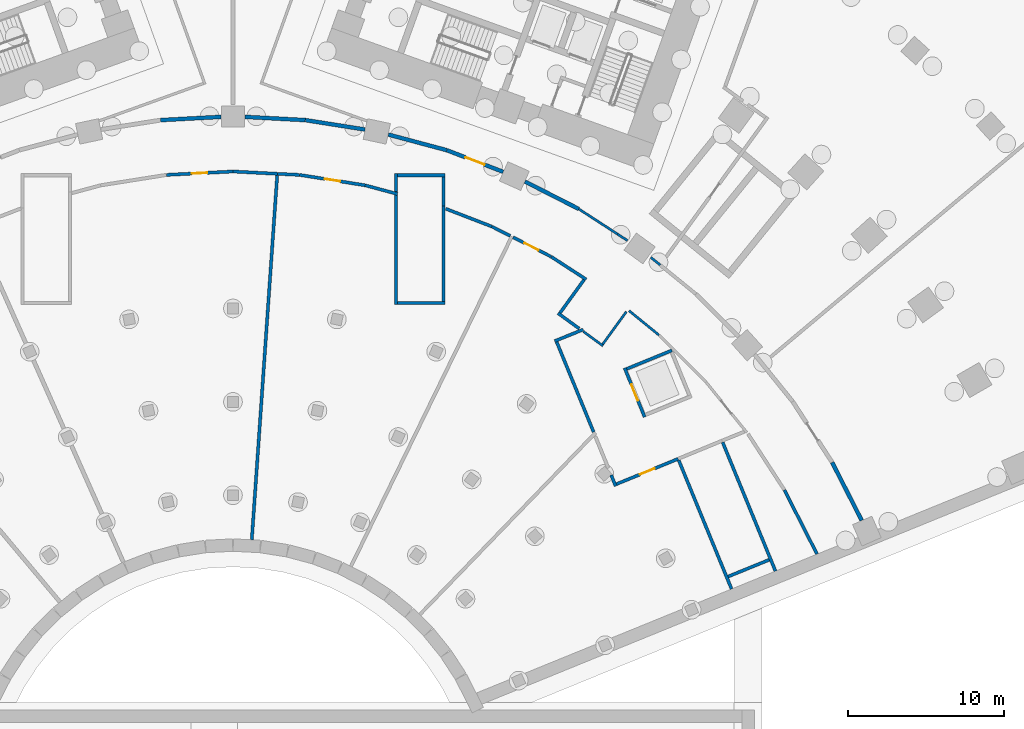
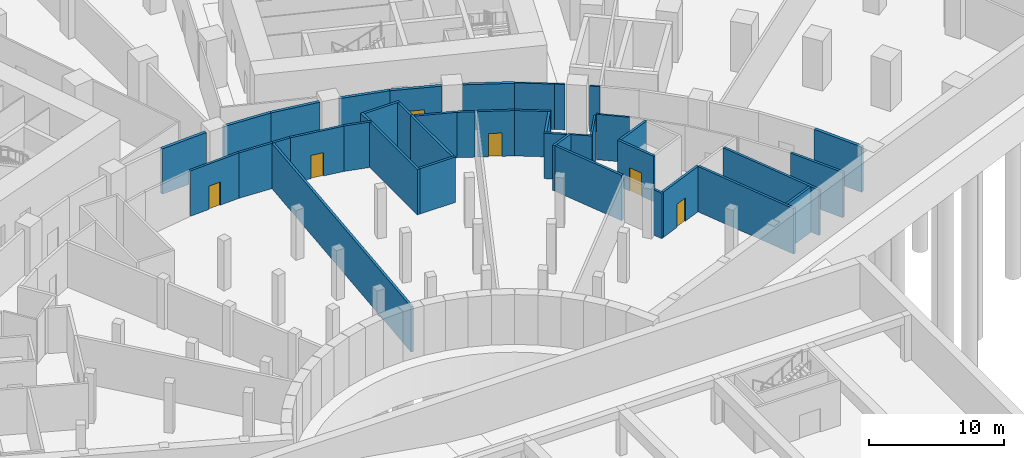
# One storey, part 12 of 25: 41 walls, 6 doors, 6 openings.
"""IFC4 building model written with IfcOpenShell, lengths in metres."""

from ifc_helpers import new_model, si_unit, direction, frame, frame_2d, origin, place, context, subcontext, project, spatial, rectangle, extrude, material, layer, layer_set, type_object, element, fill, save


model = new_model("IFC4")

# Units and contexts
model_context = context("Model", 3, precision=1e-05, world=origin(), true_north=direction((0.0, 1.0)))
body_context = subcontext(model_context, "Body", "Model", "MODEL_VIEW")
ifc_project = project(units=[si_unit("LENGTHUNIT", "METRE"), si_unit("AREAUNIT", "SQUARE_METRE"), si_unit("VOLUMEUNIT", "CUBIC_METRE"), si_unit("PLANEANGLEUNIT", "RADIAN"), si_unit("MASSUNIT", "GRAM", prefix="KILO")], contexts=[model_context])

# Site, building, storey
site_placement = place(None, origin())
site = spatial("IfcSite", under=ifc_project, at=site_placement, CompositionType="ELEMENT")
building_placement = place(site_placement, origin())
building = spatial("IfcBuilding", under=site, at=building_placement, Name="Stone Belt Terrace Tower", CompositionType="ELEMENT")
storey_placement = place(building_placement, frame((0.0, 0.0, -13.5)))
storey = spatial("IfcBuildingStorey", under=building, at=storey_placement, Name="B3", CompositionType="ELEMENT", Elevation=-13.5)

# Walls
ifc_material_1 = material(Name="Concrete B30", Category="concrete")
ifc_layer_1 = layer(ifc_material_1, 0.25)
ifc_layer_set_1 = layer_set([ifc_layer_1], Name="Compartment wall 250")
wall_type_1 = type_object("IfcWallType", Name="Compartment wall 250", PredefinedType="SOLIDWALL", material=ifc_layer_set_1)
for number, where, z_axis, x_axis, name in (
    (1, (-4.6435546875, 44.2001953125, 0.0), (0.0, 0.0, 1.0), (0.998555259213, 0.053734479607, 0.0), "Compartment wall B3 9"),
    (2, (0.76904296875, 44.40869140625, 0.0), (0.0, 0.0, 1.0), (0.998555259213, -0.053734479607, 0.0), "Compartment wall B3 11"),
):
    element("IfcWall", number, at=place(storey_placement, frame(where, z_axis=z_axis, x_axis=x_axis)), inside=storey, type_object=wall_type_1, Name=name, PredefinedType="SOLIDWALL", context=body_context, shape_type="SweptSolid", body=[
        extrude(rectangle(XDim=3.880126953125, YDim=0.25, at=frame_2d((1.93994140625, 0.0))), origin(), (0.0, 0.0, 1.0), 4.10009765625),
    ])
wall_1_placement = place(storey_placement, frame((4.656494140625, 44.198974609375, 0.0), z_axis=(0.0, 0.0, 1.0), x_axis=(0.987762453966, -0.155965812071, 0.0)))
element("IfcWall", 3, at=wall_1_placement, inside=storey, type_object=wall_type_1, Name="Compartment wall B3 12", PredefinedType="SOLIDWALL", context=body_context, shape_type="SweptSolid", body=[
    extrude(rectangle(XDim=3.87109375, YDim=0.25, at=frame_2d((1.935546875, 0.0))), origin(), (0.0, 0.0, 1.0), 4.10009765625),
])
wall_2_placement = place(storey_placement, frame((38.492919921875, 22.214111328125, 0.0), z_axis=(0.0, 0.0, 1.0), x_axis=(0.454112038916, -0.890944586443, 0.0)))
element("IfcWall", 4, at=wall_2_placement, inside=storey, type_object=wall_type_1, Name="Compartment wall B3 19", PredefinedType="SOLIDWALL", context=body_context, shape_type="SweptSolid", body=[
    extrude(rectangle(XDim=4.18212890625, YDim=0.25, at=frame_2d((2.091064453125, 0.0))), origin(), (0.0, 0.0, 1.0), 4.10009765625),
])
ifc_material_2 = material(Name="Fire-resistant glazing in steel frame", Category="steel")
ifc_layer_2 = layer(ifc_material_2, 0.25)
ifc_layer_set_2 = layer_set([ifc_layer_2], Name="Glazed compartment fire screen 250")
wall_type_2 = type_object("IfcWallType", Name="Glazed compartment fire screen 250", PredefinedType="PARTITIONING", material=ifc_layer_set_2)
wall_3_placement = place(storey_placement, frame((9.9833984375, 43.271240234375, 0.0), z_axis=(0.0, 0.0, 1.0), x_axis=(0.966098739054, -0.258172861468, 0.0)))
element("IfcWall", 5, at=wall_3_placement, inside=storey, type_object=wall_type_2, Name="Compartment fire screen B3 13", PredefinedType="PARTITIONING", context=body_context, shape_type="SweptSolid", body=[
    extrude(rectangle(XDim=3.87158203125, YDim=0.25, at=frame_2d((1.935791015625, 0.0))), origin(), (0.0, 0.0, 1.0), 4.10009765625),
])

# Wall, opening, door
wall_4_placement = place(storey_placement, frame((13.736083984375, 42.267578125, 0.0), z_axis=(0.0, 0.0, 1.0), x_axis=(0.933580570159, -0.358367575294, 0.0)))
wall_4 = element("IfcWall", 6, at=wall_4_placement, inside=storey, type_object=wall_type_2, Name="Compartment fire screen B3 14", PredefinedType="PARTITIONING", context=body_context, shape_type="SweptSolid", body=[
    extrude(rectangle(XDim=3.8798828125, YDim=0.25, at=frame_2d((1.93994140625, 0.0))), origin(), (0.0, 0.0, 1.0), 4.10009765625),
])
opening_1_placement = place(wall_4_placement, frame((1.289794921875, 0.0, 0.0)))
opening_1 = element("IfcOpeningElement", 7, at=opening_1_placement, cuts=wall_4, Name="Opening B3-P16", PredefinedType="OPENING", context=body_context, shape_type="SweptSolid", body=[
    extrude(rectangle(XDim=1.300048828125, YDim=2.10009765625, at=frame_2d((0.64990234375, 1.050048828125))), frame((0.0, 0.135009765625, 0.0), z_axis=(0.0, -1.0, 0.0), x_axis=(1.0, 0.0, 0.0)), (0.0, 0.0, 1.0), 0.27001953125),
])
ifc_material_3 = material(Name="Steel framed fire door leaf", Category="steel")
door_type_1 = type_object("IfcDoorType", Name="Fire door 1300 x 2100 EI 60", OperationType="SINGLE_SWING_LEFT", PredefinedType="DOOR", material=ifc_material_3)
door_1_placement = place(opening_1_placement, origin())
door_1 = element("IfcDoor", 8, at=door_1_placement, inside=storey, type_object=door_type_1, Name="Fire door 1300 x 2100 EI 60", OperationType="SINGLE_SWING_LEFT", OverallHeight=2.10009765625, OverallWidth=1.300048828125, PredefinedType="DOOR", context=body_context, shape_type="SweptSolid", body=[
    extrude(rectangle(XDim=1.300048828125, YDim=2.10009765625, at=frame_2d((0.64990234375, 1.050048828125))), frame((0.0, 0.02490234375, 0.0), z_axis=(0.0, -1.0, 0.0), x_axis=(1.0, 0.0, 0.0)), (0.0, 0.0, 1.0), 0.050048828125),
])
fill(opening_1, door_1)

# Wall
wall_5_placement = place(storey_placement, frame((18.762939453125, 40.251953125, 0.0), z_axis=(0.0, 0.0, 1.0), x_axis=(0.890946648215, -0.454107993802, 0.0)))
element("IfcWall", 9, at=wall_5_placement, inside=storey, type_object=wall_type_2, Name="Compartment fire screen B3 15", PredefinedType="PARTITIONING", context=body_context, shape_type="SweptSolid", body=[
    extrude(rectangle(XDim=3.87353515625, YDim=0.25, at=frame_2d((1.936767578125, 0.0))), origin(), (0.0, 0.0, 1.0), 4.10009765625),
])

# Wall, opening, door
ifc_material_4 = material(Name="Blockwork wall, plastered both faces", Category="masonry")
ifc_layer_3 = layer(ifc_material_4, 0.199951171875)
ifc_layer_set_3 = layer_set([ifc_layer_3], Name="Podium demising wall 200")
wall_type_3 = type_object("IfcWallType", Name="Podium demising wall 200", PredefinedType="PARTITIONING", material=ifc_layer_set_3)
wall_6_placement = place(storey_placement, frame((-4.274658203125, 40.680419921875, 0.0), z_axis=(0.0, 0.0, 1.0), x_axis=(0.998684216084, 0.051281931956, 0.0)))
wall_6 = element("IfcWall", 10, at=wall_6_placement, inside=storey, type_object=wall_type_3, Name="Podium demising wall 200", PredefinedType="PARTITIONING", context=body_context, shape_type="SweptSolid", body=[
    extrude(rectangle(XDim=4.275146484375, YDim=0.199951171875, at=frame_2d((2.1376953125, 0.0))), origin(), (0.0, 0.0, 1.0), 4.10009765625),
])
opening_2_placement = place(wall_6_placement, frame((1.6376953125, 0.0, 0.0)))
opening_2 = element("IfcOpeningElement", 11, at=opening_2_placement, cuts=wall_6, Name="Opening B3-P05", PredefinedType="OPENING", context=body_context, shape_type="SweptSolid", body=[
    extrude(rectangle(XDim=1.0, YDim=2.10009765625, at=frame_2d((0.5, 1.050048828125))), frame((0.0, 0.10986328125, 0.0), z_axis=(0.0, -1.0, 0.0), x_axis=(1.0, 0.0, 0.0)), (0.0, 0.0, 1.0), 0.219970703125),
])
ifc_material_5 = material(Name="Steel framed door leaf", Category="steel")
door_type_2 = type_object("IfcDoorType", Name="Podium door single 1000", OperationType="SINGLE_SWING_LEFT", PredefinedType="DOOR", material=ifc_material_5)
door_2_placement = place(opening_2_placement, origin())
door_2 = element("IfcDoor", 12, at=door_2_placement, inside=storey, type_object=door_type_2, Name="Podium door single 1000", OperationType="SINGLE_SWING_LEFT", OverallHeight=2.10009765625, OverallWidth=1.0, PredefinedType="DOOR", context=body_context, shape_type="SweptSolid", body=[
    extrude(rectangle(XDim=1.0, YDim=2.10009765625, at=frame_2d((0.5, 1.050048828125))), frame((0.0, 0.02490234375, 0.0), z_axis=(0.0, -1.0, 0.0), x_axis=(1.0, 0.0, 0.0)), (0.0, 0.0, 1.0), 0.050048828125),
])
fill(opening_2, door_2)

# Walls
wall_7_placement = place(storey_placement, frame((0.005126953125, 40.899658203125, 0.0), z_axis=(0.0, 0.0, 1.0), x_axis=(0.998619012831, -0.052536341818, 0.0)))
element("IfcWall", 13, at=wall_7_placement, inside=storey, type_object=wall_type_3, Name="Podium demising wall 200", PredefinedType="PARTITIONING", context=body_context, shape_type="SweptSolid", body=[
    extrude(rectangle(XDim=2.8486328125, YDim=0.199951171875, at=frame_2d((1.42431640625, 0.0))), origin(), (0.0, 0.0, 1.0), 4.10009765625),
])
wall_8_placement = place(storey_placement, frame((1.2099609375, 17.239990234375, 0.0), z_axis=(0.0, 0.0, 1.0), x_axis=(0.069589354316, 0.997575722322, 0.0)))
element("IfcWall", 14, at=wall_8_placement, inside=storey, type_object=wall_type_3, Name="Podium demising wall 200", PredefinedType="PARTITIONING", context=body_context, shape_type="SweptSolid", body=[
    extrude(rectangle(XDim=23.467041015625, YDim=0.199951171875, at=frame_2d((11.7333984375, 0.0))), origin(), (0.0, 0.0, 1.0), 4.10009765625),
])
wall_9_placement = place(storey_placement, frame((2.85009765625, 40.75, 0.0), z_axis=(0.0, 0.0, 1.0), x_axis=(0.998809301535, -0.048785030152, 0.0)))
element("IfcWall", 15, at=wall_9_placement, inside=storey, type_object=wall_type_3, Name="Podium demising wall 200", PredefinedType="PARTITIONING", context=body_context, shape_type="SweptSolid", body=[
    extrude(rectangle(XDim=1.42626953125, YDim=0.199951171875, at=frame_2d((0.713134765625, 0.0))), origin(), (0.0, 0.0, 1.0), 4.10009765625),
])

# Wall, opening, door
wall_10_placement = place(storey_placement, frame((4.285400390625, 40.67919921875, 0.0), z_axis=(0.0, 0.0, 1.0), x_axis=(0.987625109144, -0.156833171838, 0.0)))
wall_10 = element("IfcWall", 16, at=wall_10_placement, inside=storey, type_object=wall_type_3, Name="Podium demising wall 200", PredefinedType="PARTITIONING", context=body_context, shape_type="SweptSolid", body=[
    extrude(rectangle(XDim=4.26220703125, YDim=0.199951171875, at=frame_2d((2.131103515625, 0.0))), origin(), (0.0, 0.0, 1.0), 4.10009765625),
])
opening_3_placement = place(wall_10_placement, frame((1.631103515625, 0.0, 0.0)))
opening_3 = element("IfcOpeningElement", 17, at=opening_3_placement, cuts=wall_10, Name="Opening B3-P06", PredefinedType="OPENING", context=body_context, shape_type="SweptSolid", body=[
    extrude(rectangle(XDim=1.0, YDim=2.10009765625, at=frame_2d((0.5, 1.050048828125))), frame((0.0, 0.10986328125, 0.0), z_axis=(0.0, -1.0, 0.0), x_axis=(1.0, 0.0, 0.0)), (0.0, 0.0, 1.0), 0.219970703125),
])
door_3_placement = place(opening_3_placement, origin())
door_3 = element("IfcDoor", 18, at=door_3_placement, inside=storey, type_object=door_type_2, Name="Podium door single 1000", OperationType="SINGLE_SWING_RIGHT", OverallHeight=2.10009765625, OverallWidth=1.0, PredefinedType="DOOR", context=body_context, shape_type="SweptSolid", body=[
    extrude(rectangle(XDim=1.0, YDim=2.10009765625, at=frame_2d((0.5, 1.050048828125))), frame((0.0, 0.02490234375, 0.0), z_axis=(0.0, -1.0, 0.0), x_axis=(1.0, 0.0, 0.0)), (0.0, 0.0, 1.0), 0.050048828125),
])
fill(opening_3, door_3)

# Walls
wall_11_placement = place(storey_placement, frame((8.505126953125, 40.008544921875, 0.0), z_axis=(0.0, 0.0, 1.0), x_axis=(0.9656774636, -0.259744174709, 0.0)))
element("IfcWall", 19, at=wall_11_placement, inside=storey, type_object=wall_type_3, Name="Podium demising wall 200", PredefinedType="PARTITIONING", context=body_context, shape_type="SweptSolid", body=[
    extrude(rectangle(XDim=2.138427734375, YDim=0.199951171875, at=frame_2d((1.0693359375, 0.0))), origin(), (0.0, 0.0, 1.0), 4.10009765625),
])
wall_12_placement = place(storey_placement, frame((13.66552734375, 38.5078125, 0.0), z_axis=(0.0, 0.0, 1.0), x_axis=(0.932935786553, -0.360042800467, 0.0)))
element("IfcWall", 20, at=wall_12_placement, inside=storey, type_object=wall_type_3, Name="Podium demising wall 200", PredefinedType="PARTITIONING", context=body_context, shape_type="SweptSolid", body=[
    extrude(rectangle(XDim=3.182861328125, YDim=0.199951171875, at=frame_2d((1.59130859375, 0.0))), origin(), (0.0, 0.0, 1.0), 4.10009765625),
])
wall_13_placement = place(storey_placement, frame((16.644775390625, 37.357666015625, 0.0), z_axis=(0.0, 0.0, 1.0), x_axis=(0.890155382439, -0.455657102562, 0.0)))
element("IfcWall", 21, at=wall_13_placement, inside=storey, type_object=wall_type_3, Name="Podium demising wall 200", PredefinedType="PARTITIONING", context=body_context, shape_type="SweptSolid", body=[
    extrude(rectangle(XDim=1.3154296875, YDim=0.199951171875, at=frame_2d((0.65771484375, 0.0))), origin(), (0.0, 0.0, 1.0), 4.10009765625),
])

# Wall, opening, door
wall_14_placement = place(storey_placement, frame((17.999755859375, 36.669189453125, 0.0), z_axis=(0.0, 0.0, 1.0), x_axis=(0.890895561991, -0.454208209553, 0.0)))
wall_14 = element("IfcWall", 22, at=wall_14_placement, inside=storey, type_object=wall_type_3, Name="Podium demising wall 200", PredefinedType="PARTITIONING", context=body_context, shape_type="SweptSolid", body=[
    extrude(rectangle(XDim=2.7451171875, YDim=0.199951171875, at=frame_2d((1.37255859375, 0.0))), origin(), (0.0, 0.0, 1.0), 4.10009765625),
])
opening_4_placement = place(wall_14_placement, frame((0.81640625, 0.0, 0.0)))
opening_4 = element("IfcOpeningElement", 23, at=opening_4_placement, cuts=wall_14, Name="Opening B3-P07", PredefinedType="OPENING", context=body_context, shape_type="SweptSolid", body=[
    extrude(rectangle(XDim=1.0, YDim=2.10009765625, at=frame_2d((0.5, 1.050048828125))), frame((0.0, 0.10986328125, 0.0), z_axis=(0.0, -1.0, 0.0), x_axis=(1.0, 0.0, 0.0)), (0.0, 0.0, 1.0), 0.219970703125),
])
door_4_placement = place(opening_4_placement, origin())
door_4 = element("IfcDoor", 24, at=door_4_placement, inside=storey, type_object=door_type_2, Name="Podium door single 1000", OperationType="SINGLE_SWING_LEFT", OverallHeight=2.10009765625, OverallWidth=1.0, PredefinedType="DOOR", context=body_context, shape_type="SweptSolid", body=[
    extrude(rectangle(XDim=1.0, YDim=2.10009765625, at=frame_2d((0.5, 1.050048828125))), frame((0.0, 0.02490234375, 0.0), z_axis=(0.0, -1.0, 0.0), x_axis=(1.0, 0.0, 0.0)), (0.0, 0.0, 1.0), 0.050048828125),
])
fill(opening_4, door_4)

# Walls
wall_15_placement = place(storey_placement, frame((20.454345703125, 35.417236328125, 0.0), z_axis=(0.0, 0.0, 1.0), x_axis=(0.839157625254, -0.543888297336, 0.0)))
element("IfcWall", 25, at=wall_15_placement, inside=storey, type_object=wall_type_3, Name="Podium demising wall 200", PredefinedType="PARTITIONING", context=body_context, shape_type="SweptSolid", body=[
    extrude(rectangle(XDim=2.6689453125, YDim=0.199951171875, at=frame_2d((1.33447265625, 0.0))), origin(), (0.0, 0.0, 1.0), 4.10009765625),
])
wall_16_placement = place(storey_placement, frame((20.667236328125, 30.00244140625, 0.0), z_axis=(0.0, 0.0, 1.0), x_axis=(0.926918170947, 0.375263513238, 0.0)))
element("IfcWall", 26, at=wall_16_placement, inside=storey, type_object=wall_type_3, Name="Podium demising wall 200", PredefinedType="PARTITIONING", context=body_context, shape_type="SweptSolid", body=[
    extrude(rectangle(XDim=1.9765625, YDim=0.199951171875, at=frame_2d((0.98828125, 0.0))), origin(), (0.0, 0.0, 1.0), 4.10009765625),
])
wall_17_placement = place(storey_placement, frame((20.7978515625, 29.947509765625, 0.0), z_axis=(0.0, 0.0, 1.0), x_axis=(0.379348934987, -0.925253687117, 0.0)))
element("IfcWall", 27, at=wall_17_placement, inside=storey, type_object=wall_type_3, Name="Podium demising wall 200", PredefinedType="PARTITIONING", context=body_context, shape_type="SweptSolid", body=[
    extrude(rectangle(XDim=6.251708984375, YDim=0.199951171875, at=frame_2d((3.1259765625, 0.0))), origin(), (0.0, 0.0, 1.0), 4.10009765625),
])
wall_18_placement = place(storey_placement, frame((20.879150390625, 31.798828125, 0.0), z_axis=(0.0, 0.0, 1.0), x_axis=(0.808779854609, -0.588111508796, 0.0)))
element("IfcWall", 28, at=wall_18_placement, inside=storey, type_object=wall_type_3, Name="Podium demising wall 200", PredefinedType="PARTITIONING", context=body_context, shape_type="SweptSolid", body=[
    extrude(rectangle(XDim=1.688232421875, YDim=0.199951171875, at=frame_2d((0.84423828125, 0.0))), origin(), (0.0, 0.0, 1.0), 4.10009765625),
])
wall_19_placement = place(storey_placement, frame((21.0185546875, 31.821044921875, 0.0), z_axis=(0.0, 0.0, 1.0), x_axis=(0.586271079448, 0.810114943328, 0.0)))
element("IfcWall", 29, at=wall_19_placement, inside=storey, type_object=wall_type_3, Name="Podium demising wall 200", PredefinedType="PARTITIONING", context=body_context, shape_type="SweptSolid", body=[
    extrude(rectangle(XDim=2.6142578125, YDim=0.199951171875, at=frame_2d((1.30712890625, 0.0))), origin(), (0.0, 0.0, 1.0), 4.10009765625),
])
wall_20_placement = place(storey_placement, frame((24.29736328125, 21.396728515625, 0.0), z_axis=(0.0, 0.0, 1.0), x_axis=(0.379066925484, -0.925369259271, 0.0)))
element("IfcWall", 30, at=wall_20_placement, inside=storey, type_object=wall_type_3, Name="Podium demising wall 200", PredefinedType="PARTITIONING", context=body_context, shape_type="SweptSolid", body=[
    extrude(rectangle(XDim=0.766357421875, YDim=0.199951171875, at=frame_2d((0.38330078125, 0.0))), origin(), (0.0, 0.0, 1.0), 4.10009765625),
])

# Wall, opening, door
wall_21_placement = place(storey_placement, frame((24.642578125, 20.81787109375, 0.0), z_axis=(0.0, 0.0, 1.0), x_axis=(0.925285763334, 0.379270689839, 0.0)))
wall_21 = element("IfcWall", 31, at=wall_21_placement, inside=storey, type_object=wall_type_3, Name="Podium demising wall 200", PredefinedType="PARTITIONING", context=body_context, shape_type="SweptSolid", body=[
    extrude(rectangle(XDim=4.27685546875, YDim=0.199951171875, at=frame_2d((2.138427734375, 0.0))), origin(), (0.0, 0.0, 1.0), 4.10009765625),
])
opening_5_placement = place(wall_21_placement, frame((1.638427734375, 0.0, 0.0)))
opening_5 = element("IfcOpeningElement", 32, at=opening_5_placement, cuts=wall_21, Name="Opening B3-P08", PredefinedType="OPENING", context=body_context, shape_type="SweptSolid", body=[
    extrude(rectangle(XDim=1.0, YDim=2.10009765625, at=frame_2d((0.5, 1.050048828125))), frame((0.0, 0.10986328125, 0.0), z_axis=(0.0, -1.0, 0.0), x_axis=(1.0, 0.0, 0.0)), (0.0, 0.0, 1.0), 0.219970703125),
])
door_5_placement = place(opening_5_placement, origin())
door_5 = element("IfcDoor", 33, at=door_5_placement, inside=storey, type_object=door_type_2, Name="Podium door single 1000", OperationType="SINGLE_SWING_RIGHT", OverallHeight=2.10009765625, OverallWidth=1.0, PredefinedType="DOOR", context=body_context, shape_type="SweptSolid", body=[
    extrude(rectangle(XDim=1.0, YDim=2.10009765625, at=frame_2d((0.5, 1.050048828125))), frame((0.0, 0.02490234375, 0.0), z_axis=(0.0, -1.0, 0.0), x_axis=(1.0, 0.0, 0.0)), (0.0, 0.0, 1.0), 0.050048828125),
])
fill(opening_5, door_5)

# Wall
wall_22_placement = place(storey_placement, frame((35.426025390625, 20.438232421875, 0.0), z_axis=(0.0, 0.0, 1.0), x_axis=(0.453694492296, -0.89115728559, 0.0)))
element("IfcWall", 34, at=wall_22_placement, inside=storey, type_object=wall_type_3, Name="Podium demising wall 200", PredefinedType="PARTITIONING", context=body_context, shape_type="SweptSolid", body=[
    extrude(rectangle(XDim=4.61767578125, YDim=0.199951171875, at=frame_2d((2.308837890625, 0.0))), origin(), (0.0, 0.0, 1.0), 4.10009765625),
])

# Wall, opening, door
ifc_material_6 = material(Name="Reinforced blockwork wall, plastered both faces", Category="masonry")
ifc_layer_4 = layer(ifc_material_6, 0.199951171875)
ifc_layer_set_4 = layer_set([ifc_layer_4], Name="Podium lift shaft wall 200")
wall_type_4 = type_object("IfcWallType", Name="Podium lift shaft wall 200", PredefinedType="SOLIDWALL", material=ifc_layer_set_4)
wall_23_placement = place(storey_placement, frame((25.162109375, 28.272705078125, 0.0), z_axis=(0.0, 0.0, 1.0), x_axis=(0.378367045219, -0.925655648226, 0.0)))
wall_23 = element("IfcWall", 35, at=wall_23_placement, inside=storey, type_object=wall_type_4, Name="Podium lift shaft wall 200", PredefinedType="SOLIDWALL", context=body_context, shape_type="SweptSolid", body=[
    extrude(rectangle(XDim=3.39794921875, YDim=0.199951171875, at=frame_2d((1.698974609375, 0.0))), origin(), (0.0, 0.0, 1.0), 4.10009765625),
])
opening_6_placement = place(wall_23_placement, frame((1.14892578125, 0.0, 0.0)))
opening_6 = element("IfcOpeningElement", 36, at=opening_6_placement, cuts=wall_23, Name="Opening B3-P02", PredefinedType="OPENING", context=body_context, shape_type="SweptSolid", body=[
    extrude(rectangle(XDim=1.10009765625, YDim=2.10009765625, at=frame_2d((0.550048828125, 1.050048828125))), frame((0.0, 0.10986328125, 0.0), z_axis=(0.0, -1.0, 0.0), x_axis=(1.0, 0.0, 0.0)), (0.0, 0.0, 1.0), 0.219970703125),
])
ifc_material_7 = material(Name="Stainless steel sliding landing door leaf", Category="steel")
door_type_3 = type_object("IfcDoorType", Name="Podium landing door 1100", OperationType="SLIDING_TO_LEFT", PredefinedType="DOOR", material=ifc_material_7)
door_6_placement = place(opening_6_placement, origin())
door_6 = element("IfcDoor", 37, at=door_6_placement, inside=storey, type_object=door_type_3, Name="Podium landing door 1100", OperationType="SLIDING_TO_LEFT", OverallHeight=2.10009765625, OverallWidth=1.10009765625, PredefinedType="DOOR", context=body_context, shape_type="SweptSolid", body=[
    extrude(rectangle(XDim=1.10009765625, YDim=2.10009765625, at=frame_2d((0.550048828125, 1.050048828125))), frame((0.0, 0.02490234375, 0.0), z_axis=(0.0, -1.0, 0.0), x_axis=(1.0, 0.0, 0.0)), (0.0, 0.0, 1.0), 0.050048828125),
])
fill(opening_6, door_6)

# Walls
wall_24_placement = place(storey_placement, frame((25.29248046875, 28.2177734375, 0.0), z_axis=(0.0, 0.0, 1.0), x_axis=(0.925658526615, 0.37836000331, 0.0)))
element("IfcWall", 38, at=wall_24_placement, inside=storey, type_object=wall_type_4, Name="Podium lift shaft wall 200", PredefinedType="SOLIDWALL", context=body_context, shape_type="SweptSolid", body=[
    extrude(rectangle(XDim=3.135986328125, YDim=0.199951171875, at=frame_2d((1.56787109375, 0.0))), origin(), (0.0, 0.0, 1.0), 4.10009765625),
])
ifc_material_8 = material(Name="Gypsum board on steel stud partition", Category="steel")
ifc_layer_5 = layer(ifc_material_8, 0.14990234375)
ifc_layer_set_5 = layer_set([ifc_layer_5], Name="Podium partition 150")
wall_type_5 = type_object("IfcWallType", Name="Podium partition 150", PredefinedType="PARTITIONING", material=ifc_layer_set_5)
wall_25_placement = place(storey_placement, frame((22.223388671875, 38.48779296875, 0.0), z_axis=(0.0, 0.0, 1.0), x_axis=(0.838730636124, -0.544546526963, 0.0)))
element("IfcWall", 39, at=wall_25_placement, inside=storey, type_object=wall_type_5, Name="Podium partition 150", PredefinedType="PARTITIONING", context=body_context, shape_type="SweptSolid", body=[
    extrude(rectangle(XDim=2.95263671875, YDim=0.14990234375, at=frame_2d((1.476318359375, 0.0))), origin(), (0.0, 0.0, 1.0), 4.10009765625),
])
wall_26_placement = place(storey_placement, frame((22.512451171875, 30.6201171875, 0.0), z_axis=(0.0, 0.0, 1.0), x_axis=(0.805798055408, -0.592190420305, 0.0)))
element("IfcWall", 40, at=wall_26_placement, inside=storey, type_object=wall_type_5, Name="Podium partition 150", PredefinedType="PARTITIONING", context=body_context, shape_type="SweptSolid", body=[
    extrude(rectangle(XDim=1.561279296875, YDim=0.14990234375, at=frame_2d((0.78076171875, 0.0))), origin(), (0.0, 0.0, 1.0), 4.10009765625),
])
wall_27_placement = place(storey_placement, frame((23.75390625, 29.80078125, 0.0), z_axis=(0.0, 0.0, 1.0), x_axis=(0.587350325984, 0.809332808285, 0.0)))
element("IfcWall", 41, at=wall_27_placement, inside=storey, type_object=wall_type_5, Name="Podium partition 150", PredefinedType="PARTITIONING", context=body_context, shape_type="SweptSolid", body=[
    extrude(rectangle(XDim=2.581298828125, YDim=0.14990234375, at=frame_2d((1.29052734375, 0.0))), origin(), (0.0, 0.0, 1.0), 4.10009765625),
])
wall_28_placement = place(storey_placement, frame((24.699951171875, 36.8798828125, 0.0), z_axis=(0.0, 0.0, 1.0), x_axis=(0.839322427223, -0.543633942244, 0.0)))
element("IfcWall", 42, at=wall_28_placement, inside=storey, type_object=wall_type_5, Name="Podium partition 150", PredefinedType="PARTITIONING", context=body_context, shape_type="SweptSolid", body=[
    extrude(rectangle(XDim=0.76708984375, YDim=0.14990234375, at=frame_2d((0.383544921875, 0.0))), origin(), (0.0, 0.0, 1.0), 4.10009765625),
])
wall_29_placement = place(storey_placement, frame((25.43994140625, 31.9599609375, 0.0), z_axis=(0.0, 0.0, 1.0), x_axis=(0.775732065022, -0.631062408401, 0.0)))
element("IfcWall", 43, at=wall_29_placement, inside=storey, type_object=wall_type_5, Name="Podium partition 150", PredefinedType="PARTITIONING", context=body_context, shape_type="SweptSolid", body=[
    extrude(rectangle(XDim=2.484130859375, YDim=0.14990234375, at=frame_2d((1.2421875, 0.0))), origin(), (0.0, 0.0, 1.0), 4.10009765625),
])
wall_30_placement = place(storey_placement, frame((26.8486328125, 35.373779296875, 0.0), z_axis=(0.0, 0.0, 1.0), x_axis=(0.779230244659, -0.626737764786, 0.0)))
element("IfcWall", 44, at=wall_30_placement, inside=storey, type_object=wall_type_5, Name="Podium partition 150", PredefinedType="PARTITIONING", context=body_context, shape_type="SweptSolid", body=[
    extrude(rectangle(XDim=0.771728515625, YDim=0.14990234375, at=frame_2d((0.3857421875, 0.0))), origin(), (0.0, 0.0, 1.0), 4.10009765625),
])
ifc_layer_6 = layer(ifc_material_1, 0.199951171875)
ifc_layer_set_6 = layer_set([ifc_layer_6], Name="Podium stair and shaft wall 200")
wall_type_6 = type_object("IfcWallType", Name="Podium stair and shaft wall 200", PredefinedType="SOLIDWALL", material=ifc_layer_set_6)
wall_31_placement = place(storey_placement, frame((10.469970703125, 32.340087890625, 0.0), z_axis=(0.0, 0.0, 1.0), x_axis=(0.0, 1.0, 0.0)))
element("IfcWall", 45, at=wall_31_placement, inside=storey, type_object=wall_type_6, Name="Podium stair and shaft wall 200", PredefinedType="SOLIDWALL", context=body_context, shape_type="SweptSolid", body=[
    extrude(rectangle(XDim=7.27001953125, YDim=0.199951171875, at=frame_2d((3.635009765625, 0.0))), origin(), (0.0, 0.0, 1.0), 4.10009765625),
])
wall_32_placement = place(storey_placement, frame((10.570068359375, 32.43994140625, 0.0), z_axis=(0.0, 0.0, 1.0), x_axis=(1.0, 0.0, 0.0)))
element("IfcWall", 46, at=wall_32_placement, inside=storey, type_object=wall_type_6, Name="Podium stair and shaft wall 200", PredefinedType="SOLIDWALL", context=body_context, shape_type="SweptSolid", body=[
    extrude(rectangle(XDim=3.059814453125, YDim=0.199951171875, at=frame_2d((1.52978515625, 0.0))), origin(), (0.0, 0.0, 1.0), 4.10009765625),
])
wall_33_placement = place(storey_placement, frame((10.469970703125, 39.610107421875, 0.0), z_axis=(0.0, 0.0, 1.0), x_axis=(0.0, 1.0, 0.0)))
element("IfcWall", 47, at=wall_33_placement, inside=storey, type_object=wall_type_6, Name="Podium stair and shaft wall 200", PredefinedType="SOLIDWALL", context=body_context, shape_type="SweptSolid", body=[
    extrude(rectangle(XDim=1.14990234375, YDim=0.199951171875, at=frame_2d((0.574951171875, 0.0))), origin(), (0.0, 0.0, 1.0), 4.10009765625),
])
wall_34_placement = place(storey_placement, frame((10.570068359375, 40.659912109375, 0.0), z_axis=(0.0, 0.0, 1.0), x_axis=(1.0, 0.0, 0.0)))
element("IfcWall", 48, at=wall_34_placement, inside=storey, type_object=wall_type_6, Name="Podium stair and shaft wall 200", PredefinedType="SOLIDWALL", context=body_context, shape_type="SweptSolid", body=[
    extrude(rectangle(XDim=3.059814453125, YDim=0.199951171875, at=frame_2d((1.52978515625, 0.0))), origin(), (0.0, 0.0, 1.0), 4.10009765625),
])
wall_35_placement = place(storey_placement, frame((13.530029296875, 32.5400390625, 0.0), z_axis=(0.0, 0.0, 1.0), x_axis=(0.0, 1.0, 0.0)))
element("IfcWall", 49, at=wall_35_placement, inside=storey, type_object=wall_type_6, Name="Podium stair and shaft wall 200", PredefinedType="SOLIDWALL", context=body_context, shape_type="SweptSolid", body=[
    extrude(rectangle(XDim=6.127197265625, YDim=0.199951171875, at=frame_2d((3.0634765625, 0.0))), origin(), (0.0, 0.0, 1.0), 4.10009765625),
])
wall_36_placement = place(storey_placement, frame((13.530029296875, 38.66796875, 0.0), z_axis=(0.0, 0.0, 1.0), x_axis=(0.0, 1.0, 0.0)))
element("IfcWall", 50, at=wall_36_placement, inside=storey, type_object=wall_type_6, Name="Podium stair and shaft wall 200", PredefinedType="SOLIDWALL", context=body_context, shape_type="SweptSolid", body=[
    extrude(rectangle(XDim=1.89208984375, YDim=0.199951171875, at=frame_2d((0.946044921875, 0.0))), origin(), (0.0, 0.0, 1.0), 4.10009765625),
])
wall_37_placement = place(storey_placement, frame((28.637939453125, 22.347412109375, 0.0), z_axis=(0.0, 0.0, 1.0), x_axis=(0.379761941504, -0.92508424902, 0.0)))
element("IfcWall", 51, at=wall_37_placement, inside=storey, type_object=wall_type_6, Name="Podium stair and shaft wall 200", PredefinedType="SOLIDWALL", context=body_context, shape_type="SweptSolid", body=[
    extrude(rectangle(XDim=8.939208984375, YDim=0.199951171875, at=frame_2d((4.4697265625, 0.0))), origin(), (0.0, 0.0, 1.0), 4.10009765625),
])
wall_38_placement = place(storey_placement, frame((31.4580078125, 23.507568359375, 0.0), z_axis=(0.0, 0.0, 1.0), x_axis=(0.379340202358, -0.925257267399, 0.0)))
element("IfcWall", 52, at=wall_38_placement, inside=storey, type_object=wall_type_6, Name="Podium stair and shaft wall 200", PredefinedType="SOLIDWALL", context=body_context, shape_type="SweptSolid", body=[
    extrude(rectangle(XDim=8.94921875, YDim=0.199951171875, at=frame_2d((4.474609375, 0.0))), origin(), (0.0, 0.0, 1.0), 4.10009765625),
])
wall_39_placement = place(storey_placement, frame((31.8125, 14.877685546875, 0.0), z_axis=(0.0, 0.0, 1.0), x_axis=(0.925976847494, 0.377580293322, 0.0)))
element("IfcWall", 53, at=wall_39_placement, inside=storey, type_object=wall_type_6, Name="Podium stair and shaft wall 200", PredefinedType="SOLIDWALL", context=body_context, shape_type="SweptSolid", body=[
    extrude(rectangle(XDim=2.845703125, YDim=0.199951171875, at=frame_2d((1.4228515625, 0.0))), origin(), (0.0, 0.0, 1.0), 4.10009765625),
])

save(model, "model.ifc")
